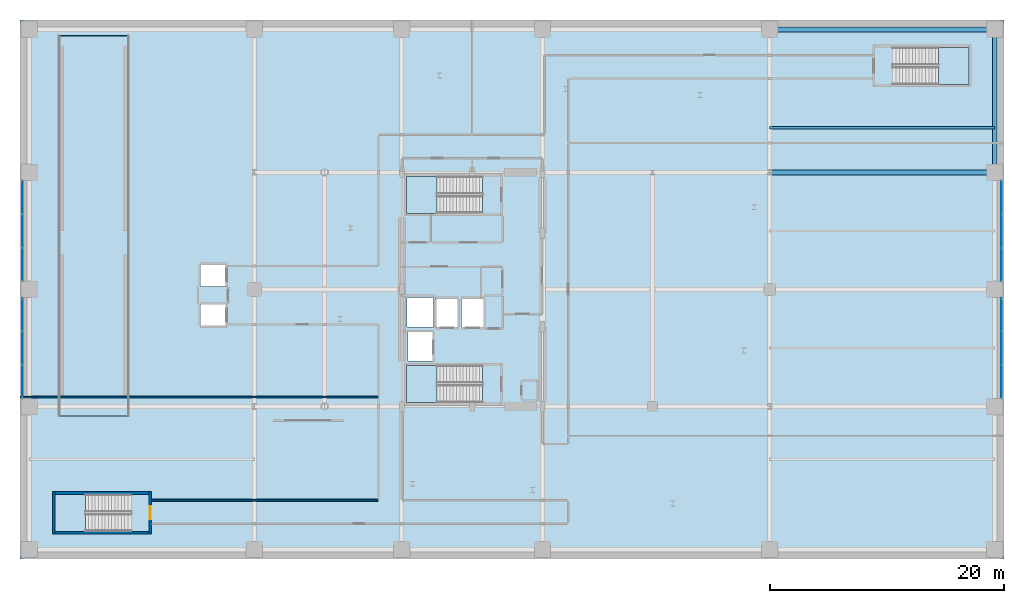
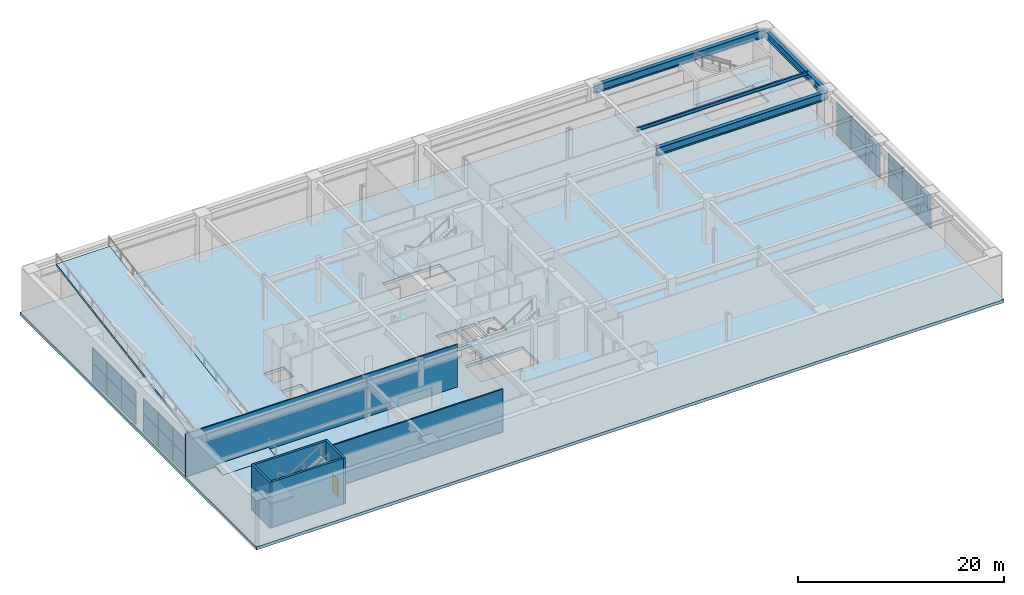
# One storey, part 14 of 25: 24 plates, 6 slabs, 6 walls, 4 beams, 1 door, 1 opening, 8 elements without a shape of their own.
"""IFC4 building model written with IfcOpenShell, lengths in metres."""

from ifc_helpers import new_model, si_unit, direction, frame, frame_2d, origin, origin_2d, place, context, subcontext, project, spatial, polyline, rectangle, i_section, outline, extrude, material, layer, layer_set, material_profile, profile_set, type_object, element, fill, aggregate, save


model = new_model("IFC4")

# Units and contexts
model_context = context("Model", 3, precision=1e-05, world=origin(), true_north=direction((0.0, 1.0)))
body_context = subcontext(model_context, "Body", "Model", "MODEL_VIEW")
ifc_project = project(units=[si_unit("LENGTHUNIT", "METRE"), si_unit("AREAUNIT", "SQUARE_METRE"), si_unit("VOLUMEUNIT", "CUBIC_METRE"), si_unit("PLANEANGLEUNIT", "RADIAN"), si_unit("MASSUNIT", "GRAM", prefix="KILO")], contexts=[model_context])

# Site, building, storey
site_placement = place(None, origin())
site = spatial("IfcSite", under=ifc_project, at=site_placement, CompositionType="ELEMENT")
building_placement = place(site_placement, origin())
building = spatial("IfcBuilding", under=site, at=building_placement, Name="Soratama Intermodal Tower", CompositionType="ELEMENT")
storey_placement = place(building_placement, frame((0.0, 0.0, -5.39990234375)))
storey = spatial("IfcBuildingStorey", under=building, at=storey_placement, Name="B1", CompositionType="ELEMENT", Elevation=-5.39990234375)

# Beams
ifc_material_1 = material(Name="Structural steel ASTM A992 Grade 50", Category="steel")
ifc_material_profile_1 = material_profile(ifc_material_1, i_section(OverallWidth=0.177978515625, OverallDepth=0.406982421875, WebThickness=0.0078125, FlangeThickness=0.0126953125, FilletRadius=0.010009765625, at=origin_2d()), Name="W16X40")
ifc_profile_set_1 = profile_set([ifc_material_profile_1], Name="Structural steel ASTM A992 Grade 50")
beam_type_1 = type_object("IfcBeamType", Name="BM-JST-W16X40", PredefinedType="JOIST", material=ifc_profile_set_1)
beam_1_placement = place(storey_placement, frame((64.0, 38.800048828125, 4.87646484375), z_axis=(1.0, 0.0, 0.0), x_axis=(0.0, 1.0, 0.0)))
element("IfcBeam", 1, at=beam_1_placement, inside=storey, type_object=beam_type_1, Name="JST-B1-E4", PredefinedType="JOIST", context=body_context, shape_type="SweptSolid", body=[
    extrude(i_section(OverallWidth=0.177978515625, OverallDepth=0.406982421875, WebThickness=0.0078125, FlangeThickness=0.0126953125, FilletRadius=0.010009765625, at=origin_2d()), origin(), (0.0, 0.0, 1.0), 19.199951171875),
])
ifc_material_2 = material(Name="Structural steel ASTM A992 Grade 50", Category="steel")
ifc_material_profile_2 = material_profile(ifc_material_2, i_section(OverallWidth=0.403076171875, OverallDepth=0.867919921875, WebThickness=0.02099609375, FlangeThickness=0.03564453125, FilletRadius=0.01806640625, at=origin_2d()), Name="W33X241")
ifc_profile_set_2 = profile_set([ifc_material_profile_2], Name="Structural steel ASTM A992 Grade 50")
beam_type_2 = type_object("IfcBeamType", Name="BM-POD-EXT-W33", PredefinedType="BEAM", material=ifc_profile_set_2)
beam_2_placement = place(storey_placement, frame((83.199951171875, 35.0, 4.64599609375), z_axis=(0.0, 1.0, 0.0), x_axis=(-1.0, 0.0, 0.0)))
element("IfcBeam", 2, at=beam_2_placement, inside=storey, type_object=beam_type_2, Name="B1 Station Girder Y4-4", PredefinedType="BEAM", context=body_context, shape_type="SweptSolid", body=[
    extrude(i_section(OverallWidth=0.403076171875, OverallDepth=0.867919921875, WebThickness=0.02099609375, FlangeThickness=0.03564453125, FilletRadius=0.01806640625, at=origin_2d()), origin(), (0.0, 0.0, 1.0), 12.199951171875),
])
ifc_material_3 = material(Name="Structural steel ASTM A992 Grade 50", Category="steel")
ifc_material_profile_3 = material_profile(ifc_material_3, i_section(OverallWidth=0.423095703125, OverallDepth=0.93896484375, WebThickness=0.02392578125, FlangeThickness=0.042724609375, FilletRadius=0.02392578125, at=origin_2d()), Name="W36X302")
ifc_profile_set_3 = profile_set([ifc_material_profile_3], Name="Structural steel ASTM A992 Grade 50")
beam_type_3 = type_object("IfcBeamType", Name="BM-POD-EXT-W36", PredefinedType="BEAM", material=ifc_profile_set_3)
beam_3_placement = place(storey_placement, frame((64.0, 47.199951171875, 4.6103515625), z_axis=(1.0, 0.0, 0.0), x_axis=(0.0, 1.0, 0.0)))
element("IfcBeam", 3, at=beam_3_placement, inside=storey, type_object=beam_type_3, Name="B1 Station Girder X5-5", PredefinedType="BEAM", context=body_context, shape_type="SweptSolid", body=[
    extrude(i_section(OverallWidth=0.423095703125, OverallDepth=0.93896484375, WebThickness=0.02392578125, FlangeThickness=0.042724609375, FilletRadius=0.02392578125, at=origin_2d()), origin(), (0.0, 0.0, 1.0), 19.199951171875),
])
ifc_material_4 = material(Name="Structural steel ASTM A992 Grade 50", Category="steel")
ifc_material_profile_4 = material_profile(ifc_material_4, i_section(OverallWidth=0.423095703125, OverallDepth=0.93896484375, WebThickness=0.02392578125, FlangeThickness=0.042724609375, FilletRadius=0.02392578125, at=origin_2d()), Name="W36X302")
ifc_profile_set_4 = profile_set([ifc_material_profile_4], Name="Structural steel ASTM A992 Grade 50")
beam_type_4 = type_object("IfcBeamType", Name="BM-POD-W36X302", PredefinedType="BEAM", material=ifc_profile_set_4)
beam_4_placement = place(storey_placement, frame((64.0, 35.0, 4.6103515625), z_axis=(1.0, 0.0, 0.0), x_axis=(0.0, 1.0, 0.0)))
element("IfcBeam", 4, at=beam_4_placement, inside=storey, type_object=beam_type_4, Name="B1 Station Girder X4-5", PredefinedType="BEAM", context=body_context, shape_type="SweptSolid", body=[
    extrude(i_section(OverallWidth=0.423095703125, OverallDepth=0.93896484375, WebThickness=0.02392578125, FlangeThickness=0.042724609375, FilletRadius=0.02392578125, at=origin_2d()), origin(), (0.0, 0.0, 1.0), 19.199951171875),
])

# Curtain wall, plates
ifc_material_5 = material(Name="Double-glazed aluminium curtain wall", Category="aluminium")
ifc_layer_1 = layer(ifc_material_5, 0.159912109375)
ifc_layer_set_1 = layer_set([ifc_layer_1], Name="Double-glazed aluminium curtain wall")
curtain_wall_type = type_object("IfcCurtainWallType", Name="CW-SYS-1", PredefinedType="NOTDEFINED", material=ifc_layer_set_1)
curtain_wall_1_placement = place(storey_placement, origin())
curtain_wall_1 = element("IfcCurtainWall", 5, at=curtain_wall_1_placement, inside=storey, type_object=curtain_wall_type, Name="B1 Station Curtain Wall E1", PredefinedType="NOTDEFINED")
ifc_material_6 = material(Name="Low-E laminated double glazing", Category="glass")
ifc_layer_2 = layer(ifc_material_6, 0.035888671875)
ifc_layer_set_2 = layer_set([ifc_layer_2], Name="Low-E laminated double glazing")
plate_type = type_object("IfcPlateType", Name="PT-CWP-1", PredefinedType="CURTAIN_PANEL", material=ifc_layer_set_2)
plate_1_placement = place(storey_placement, frame((83.800048828125, 17.1484375, 0.06005859375), z_axis=(0.0, 0.0, 1.0), x_axis=(0.0, 1.0, 0.0)))
plate_1 = element("IfcPlate", 6, at=plate_1_placement, type_object=plate_type, Name="CW-1 panel 1.1", PredefinedType="CURTAIN_PANEL", context=body_context, shape_type="SweptSolid", body=[
    extrude(rectangle(XDim=2.776611328125, YDim=0.028076171875, at=origin_2d()), origin(), (0.0, 0.0, 1.0), 2.159912109375),
])
plate_2_placement = place(storey_placement, frame((83.800048828125, 17.1484375, 2.280029296875), z_axis=(0.0, 0.0, 1.0), x_axis=(0.0, 1.0, 0.0)))
plate_2 = element("IfcPlate", 7, at=plate_2_placement, type_object=plate_type, Name="CW-1 panel 1.2", PredefinedType="CURTAIN_PANEL", context=body_context, shape_type="SweptSolid", body=[
    extrude(rectangle(XDim=2.776611328125, YDim=0.028076171875, at=origin_2d()), origin(), (0.0, 0.0, 1.0), 1.7958984375),
])
plate_3_placement = place(storey_placement, frame((83.800048828125, 20.0, 0.06005859375), z_axis=(0.0, 0.0, 1.0), x_axis=(0.0, 1.0, 0.0)))
plate_3 = element("IfcPlate", 8, at=plate_3_placement, type_object=plate_type, Name="CW-1 panel 2.1", PredefinedType="CURTAIN_PANEL", context=body_context, shape_type="SweptSolid", body=[
    extrude(rectangle(XDim=2.806640625, YDim=0.028076171875, at=origin_2d()), origin(), (0.0, 0.0, 1.0), 2.159912109375),
])
plate_4_placement = place(storey_placement, frame((83.800048828125, 20.0, 2.280029296875), z_axis=(0.0, 0.0, 1.0), x_axis=(0.0, 1.0, 0.0)))
plate_4 = element("IfcPlate", 9, at=plate_4_placement, type_object=plate_type, Name="CW-1 panel 2.2", PredefinedType="CURTAIN_PANEL", context=body_context, shape_type="SweptSolid", body=[
    extrude(rectangle(XDim=2.806640625, YDim=0.028076171875, at=origin_2d()), origin(), (0.0, 0.0, 1.0), 1.7958984375),
])
plate_5_placement = place(storey_placement, frame((83.800048828125, 22.8515625, 0.06005859375), z_axis=(0.0, 0.0, 1.0), x_axis=(0.0, 1.0, 0.0)))
plate_5 = element("IfcPlate", 10, at=plate_5_placement, type_object=plate_type, Name="CW-1 panel 3.1", PredefinedType="CURTAIN_PANEL", context=body_context, shape_type="SweptSolid", body=[
    extrude(rectangle(XDim=2.776611328125, YDim=0.028076171875, at=origin_2d()), origin(), (0.0, 0.0, 1.0), 2.159912109375),
])
plate_6_placement = place(storey_placement, frame((83.800048828125, 22.8515625, 2.280029296875), z_axis=(0.0, 0.0, 1.0), x_axis=(0.0, 1.0, 0.0)))
plate_6 = element("IfcPlate", 11, at=plate_6_placement, type_object=plate_type, Name="CW-1 panel 3.2", PredefinedType="CURTAIN_PANEL", context=body_context, shape_type="SweptSolid", body=[
    extrude(rectangle(XDim=2.776611328125, YDim=0.028076171875, at=origin_2d()), origin(), (0.0, 0.0, 1.0), 1.7958984375),
])
aggregate(curtain_wall_1, [plate_1, plate_2, plate_3, plate_4, plate_5, plate_6])

curtain_wall_2_placement = place(storey_placement, origin())
curtain_wall_2 = element("IfcCurtainWall", 12, at=curtain_wall_2_placement, inside=storey, type_object=curtain_wall_type, Name="B1 Station Curtain Wall E2", PredefinedType="NOTDEFINED")
plate_7_placement = place(storey_placement, frame((83.800048828125, 27.1484375, 0.06005859375), z_axis=(0.0, 0.0, 1.0), x_axis=(0.0, 1.0, 0.0)))
plate_7 = element("IfcPlate", 13, at=plate_7_placement, type_object=plate_type, Name="CW-1 panel 1.1", PredefinedType="CURTAIN_PANEL", context=body_context, shape_type="SweptSolid", body=[
    extrude(rectangle(XDim=2.776611328125, YDim=0.028076171875, at=origin_2d()), origin(), (0.0, 0.0, 1.0), 2.159912109375),
])
plate_8_placement = place(storey_placement, frame((83.800048828125, 27.1484375, 2.280029296875), z_axis=(0.0, 0.0, 1.0), x_axis=(0.0, 1.0, 0.0)))
plate_8 = element("IfcPlate", 14, at=plate_8_placement, type_object=plate_type, Name="CW-1 panel 1.2", PredefinedType="CURTAIN_PANEL", context=body_context, shape_type="SweptSolid", body=[
    extrude(rectangle(XDim=2.776611328125, YDim=0.028076171875, at=origin_2d()), origin(), (0.0, 0.0, 1.0), 1.7958984375),
])
plate_9_placement = place(storey_placement, frame((83.800048828125, 30.0, 0.06005859375), z_axis=(0.0, 0.0, 1.0), x_axis=(0.0, 1.0, 0.0)))
plate_9 = element("IfcPlate", 15, at=plate_9_placement, type_object=plate_type, Name="CW-1 panel 2.1", PredefinedType="CURTAIN_PANEL", context=body_context, shape_type="SweptSolid", body=[
    extrude(rectangle(XDim=2.806640625, YDim=0.028076171875, at=origin_2d()), origin(), (0.0, 0.0, 1.0), 2.159912109375),
])
plate_10_placement = place(storey_placement, frame((83.800048828125, 30.0, 2.280029296875), z_axis=(0.0, 0.0, 1.0), x_axis=(0.0, 1.0, 0.0)))
plate_10 = element("IfcPlate", 16, at=plate_10_placement, type_object=plate_type, Name="CW-1 panel 2.2", PredefinedType="CURTAIN_PANEL", context=body_context, shape_type="SweptSolid", body=[
    extrude(rectangle(XDim=2.806640625, YDim=0.028076171875, at=origin_2d()), origin(), (0.0, 0.0, 1.0), 1.7958984375),
])
plate_11_placement = place(storey_placement, frame((83.800048828125, 32.8515625, 0.06005859375), z_axis=(0.0, 0.0, 1.0), x_axis=(0.0, 1.0, 0.0)))
plate_11 = element("IfcPlate", 17, at=plate_11_placement, type_object=plate_type, Name="CW-1 panel 3.1", PredefinedType="CURTAIN_PANEL", context=body_context, shape_type="SweptSolid", body=[
    extrude(rectangle(XDim=2.776611328125, YDim=0.028076171875, at=origin_2d()), origin(), (0.0, 0.0, 1.0), 2.159912109375),
])
plate_12_placement = place(storey_placement, frame((83.800048828125, 32.8515625, 2.280029296875), z_axis=(0.0, 0.0, 1.0), x_axis=(0.0, 1.0, 0.0)))
plate_12 = element("IfcPlate", 18, at=plate_12_placement, type_object=plate_type, Name="CW-1 panel 3.2", PredefinedType="CURTAIN_PANEL", context=body_context, shape_type="SweptSolid", body=[
    extrude(rectangle(XDim=2.776611328125, YDim=0.028076171875, at=origin_2d()), origin(), (0.0, 0.0, 1.0), 1.7958984375),
])
aggregate(curtain_wall_2, [plate_7, plate_8, plate_9, plate_10, plate_11, plate_12])

curtain_wall_3_placement = place(storey_placement, origin())
curtain_wall_3 = element("IfcCurtainWall", 19, at=curtain_wall_3_placement, inside=storey, type_object=curtain_wall_type, Name="B1 Station Curtain Wall W1", PredefinedType="NOTDEFINED")
plate_13_placement = place(storey_placement, frame((0.199951171875, 17.1484375, 0.06005859375), z_axis=(0.0, 0.0, 1.0), x_axis=(0.0, 1.0, 0.0)))
plate_13 = element("IfcPlate", 20, at=plate_13_placement, type_object=plate_type, Name="CW-1 panel 1.1", PredefinedType="CURTAIN_PANEL", context=body_context, shape_type="SweptSolid", body=[
    extrude(rectangle(XDim=2.776611328125, YDim=0.028076171875, at=origin_2d()), origin(), (0.0, 0.0, 1.0), 2.159912109375),
])
plate_14_placement = place(storey_placement, frame((0.199951171875, 17.1484375, 2.280029296875), z_axis=(0.0, 0.0, 1.0), x_axis=(0.0, 1.0, 0.0)))
plate_14 = element("IfcPlate", 21, at=plate_14_placement, type_object=plate_type, Name="CW-1 panel 1.2", PredefinedType="CURTAIN_PANEL", context=body_context, shape_type="SweptSolid", body=[
    extrude(rectangle(XDim=2.776611328125, YDim=0.028076171875, at=origin_2d()), origin(), (0.0, 0.0, 1.0), 1.7958984375),
])
plate_15_placement = place(storey_placement, frame((0.199951171875, 20.0, 0.06005859375), z_axis=(0.0, 0.0, 1.0), x_axis=(0.0, 1.0, 0.0)))
plate_15 = element("IfcPlate", 22, at=plate_15_placement, type_object=plate_type, Name="CW-1 panel 2.1", PredefinedType="CURTAIN_PANEL", context=body_context, shape_type="SweptSolid", body=[
    extrude(rectangle(XDim=2.806640625, YDim=0.028076171875, at=origin_2d()), origin(), (0.0, 0.0, 1.0), 2.159912109375),
])
plate_16_placement = place(storey_placement, frame((0.199951171875, 20.0, 2.280029296875), z_axis=(0.0, 0.0, 1.0), x_axis=(0.0, 1.0, 0.0)))
plate_16 = element("IfcPlate", 23, at=plate_16_placement, type_object=plate_type, Name="CW-1 panel 2.2", PredefinedType="CURTAIN_PANEL", context=body_context, shape_type="SweptSolid", body=[
    extrude(rectangle(XDim=2.806640625, YDim=0.028076171875, at=origin_2d()), origin(), (0.0, 0.0, 1.0), 1.7958984375),
])
plate_17_placement = place(storey_placement, frame((0.199951171875, 22.8515625, 0.06005859375), z_axis=(0.0, 0.0, 1.0), x_axis=(0.0, 1.0, 0.0)))
plate_17 = element("IfcPlate", 24, at=plate_17_placement, type_object=plate_type, Name="CW-1 panel 3.1", PredefinedType="CURTAIN_PANEL", context=body_context, shape_type="SweptSolid", body=[
    extrude(rectangle(XDim=2.776611328125, YDim=0.028076171875, at=origin_2d()), origin(), (0.0, 0.0, 1.0), 2.159912109375),
])
plate_18_placement = place(storey_placement, frame((0.199951171875, 22.8515625, 2.280029296875), z_axis=(0.0, 0.0, 1.0), x_axis=(0.0, 1.0, 0.0)))
plate_18 = element("IfcPlate", 25, at=plate_18_placement, type_object=plate_type, Name="CW-1 panel 3.2", PredefinedType="CURTAIN_PANEL", context=body_context, shape_type="SweptSolid", body=[
    extrude(rectangle(XDim=2.776611328125, YDim=0.028076171875, at=origin_2d()), origin(), (0.0, 0.0, 1.0), 1.7958984375),
])
aggregate(curtain_wall_3, [plate_13, plate_14, plate_15, plate_16, plate_17, plate_18])

curtain_wall_4_placement = place(storey_placement, origin())
curtain_wall_4 = element("IfcCurtainWall", 26, at=curtain_wall_4_placement, inside=storey, type_object=curtain_wall_type, Name="B1 Station Curtain Wall W2", PredefinedType="NOTDEFINED")
plate_19_placement = place(storey_placement, frame((0.199951171875, 27.1484375, 0.06005859375), z_axis=(0.0, 0.0, 1.0), x_axis=(0.0, 1.0, 0.0)))
plate_19 = element("IfcPlate", 27, at=plate_19_placement, type_object=plate_type, Name="CW-1 panel 1.1", PredefinedType="CURTAIN_PANEL", context=body_context, shape_type="SweptSolid", body=[
    extrude(rectangle(XDim=2.776611328125, YDim=0.028076171875, at=origin_2d()), origin(), (0.0, 0.0, 1.0), 2.159912109375),
])
plate_20_placement = place(storey_placement, frame((0.199951171875, 27.1484375, 2.280029296875), z_axis=(0.0, 0.0, 1.0), x_axis=(0.0, 1.0, 0.0)))
plate_20 = element("IfcPlate", 28, at=plate_20_placement, type_object=plate_type, Name="CW-1 panel 1.2", PredefinedType="CURTAIN_PANEL", context=body_context, shape_type="SweptSolid", body=[
    extrude(rectangle(XDim=2.776611328125, YDim=0.028076171875, at=origin_2d()), origin(), (0.0, 0.0, 1.0), 1.7958984375),
])
plate_21_placement = place(storey_placement, frame((0.199951171875, 30.0, 0.06005859375), z_axis=(0.0, 0.0, 1.0), x_axis=(0.0, 1.0, 0.0)))
plate_21 = element("IfcPlate", 29, at=plate_21_placement, type_object=plate_type, Name="CW-1 panel 2.1", PredefinedType="CURTAIN_PANEL", context=body_context, shape_type="SweptSolid", body=[
    extrude(rectangle(XDim=2.806640625, YDim=0.028076171875, at=origin_2d()), origin(), (0.0, 0.0, 1.0), 2.159912109375),
])
plate_22_placement = place(storey_placement, frame((0.199951171875, 30.0, 2.280029296875), z_axis=(0.0, 0.0, 1.0), x_axis=(0.0, 1.0, 0.0)))
plate_22 = element("IfcPlate", 30, at=plate_22_placement, type_object=plate_type, Name="CW-1 panel 2.2", PredefinedType="CURTAIN_PANEL", context=body_context, shape_type="SweptSolid", body=[
    extrude(rectangle(XDim=2.806640625, YDim=0.028076171875, at=origin_2d()), origin(), (0.0, 0.0, 1.0), 1.7958984375),
])
plate_23_placement = place(storey_placement, frame((0.199951171875, 32.8515625, 0.06005859375), z_axis=(0.0, 0.0, 1.0), x_axis=(0.0, 1.0, 0.0)))
plate_23 = element("IfcPlate", 31, at=plate_23_placement, type_object=plate_type, Name="CW-1 panel 3.1", PredefinedType="CURTAIN_PANEL", context=body_context, shape_type="SweptSolid", body=[
    extrude(rectangle(XDim=2.776611328125, YDim=0.028076171875, at=origin_2d()), origin(), (0.0, 0.0, 1.0), 2.159912109375),
])
plate_24_placement = place(storey_placement, frame((0.199951171875, 32.8515625, 2.280029296875), z_axis=(0.0, 0.0, 1.0), x_axis=(0.0, 1.0, 0.0)))
plate_24 = element("IfcPlate", 32, at=plate_24_placement, type_object=plate_type, Name="CW-1 panel 3.2", PredefinedType="CURTAIN_PANEL", context=body_context, shape_type="SweptSolid", body=[
    extrude(rectangle(XDim=2.776611328125, YDim=0.028076171875, at=origin_2d()), origin(), (0.0, 0.0, 1.0), 1.7958984375),
])
aggregate(curtain_wall_4, [plate_19, plate_20, plate_21, plate_22, plate_23, plate_24])

# Slabs
ifc_material_7 = material(Name="Concrete f'c 42 MPa", Category="concrete")
ifc_layer_3 = layer(ifc_material_7, 0.360107421875)
ifc_layer_set_3 = layer_set([ifc_layer_3], Name="Concrete f'c 42 MPa")
slab_type_1 = type_object("IfcSlabType", Name="SL-B1-360", PredefinedType="FLOOR", material=ifc_layer_set_3)
slab_1_placement = place(storey_placement, frame((0.0, 0.0, -0.360107421875)))
element("IfcSlab", 33, at=slab_1_placement, inside=storey, type_object=slab_type_1, Name="B1 Structural Floor Slab", PredefinedType="FLOOR", context=body_context, shape_type="SweptSolid", body=[
    extrude(outline(polyline([(0.0, 2.0), (84.0, 2.0), (84.0, 48.0), (0.0, 48.0), (0.0, 2.0)]), holes=[polyline([(3.0, 7.5), (3.0, 4.35009765625), (9.47509765625, 4.35009765625), (9.47509765625, 7.5), (3.0, 7.5)]), polyline([(33.0, 18.5), (33.0, 15.35009765625), (39.47509765625, 15.35009765625), (39.47509765625, 18.5), (33.0, 18.5)]), polyline([(35.260009765625, 21.409912109375), (33.139892578125, 21.409912109375), (33.139892578125, 18.889892578125), (35.260009765625, 18.889892578125), (35.260009765625, 21.409912109375)]), polyline([(17.610107421875, 21.840087890625), (17.610107421875, 23.760009765625), (15.389892578125, 23.760009765625), (15.389892578125, 21.840087890625), (17.610107421875, 21.840087890625)]), polyline([(37.409912109375, 21.739990234375), (37.409912109375, 24.260009765625), (35.489990234375, 24.260009765625), (35.489990234375, 21.739990234375), (37.409912109375, 21.739990234375)]), polyline([(39.610107421875, 24.260009765625), (37.68994140625, 24.260009765625), (37.68994140625, 21.739990234375), (39.610107421875, 21.739990234375), (39.610107421875, 24.260009765625)]), polyline([(35.280029296875, 21.800048828125), (35.280029296875, 24.320068359375), (33.050048828125, 24.320068359375), (33.050048828125, 21.800048828125), (35.280029296875, 21.800048828125)]), polyline([(17.610107421875, 27.159912109375), (15.389892578125, 27.159912109375), (15.389892578125, 25.239990234375), (17.610107421875, 25.239990234375), (17.610107421875, 27.159912109375)]), polyline([(39.47509765625, 34.64990234375), (33.0, 34.64990234375), (33.0, 31.5), (39.47509765625, 31.5), (39.47509765625, 34.64990234375)]), polyline([(74.52490234375, 42.5), (81.0, 42.5), (81.0, 45.64990234375), (74.52490234375, 45.64990234375), (74.52490234375, 42.5)])]), origin(), (0.0, 0.0, 1.0), 0.360107421875),
])
ifc_material_8 = material(Name="Concrete f'c 42 MPa", Category="concrete")
ifc_layer_4 = layer(ifc_material_8, 0.25)
ifc_layer_set_4 = layer_set([ifc_layer_4], Name="Concrete f'c 42 MPa")
slab_type_2 = type_object("IfcSlabType", Name="SL-RAMP-250", PredefinedType="USERDEFINED", material=ifc_layer_set_4)
slab_2_placement = place(storey_placement, frame((3.300048828125, 14.199951171875, 0.0), z_axis=(0.0, -0.164149858657, 0.98643541294), x_axis=(1.0, 0.0, 0.0)))
element("IfcSlab", 34, at=slab_2_placement, inside=storey, type_object=slab_type_2, Name="B1 to L00 Two-Way Servicing Vehicle Ramp Slab", ObjectType="RAMP", PredefinedType="USERDEFINED", context=body_context, shape_type="SweptSolid", body=[
    extrude(outline(polyline([(0.0, 0.0), (6.0, 0.0), (6.0, 32.89617419061233), (0.0, 32.89617419061233), (0.0, 0.0)])), origin(), (0.0, 0.0, -1.0), 0.25),
])

# Stair, slab
ifc_material_9 = material(Name="Concrete f'c 42 MPa", Category="concrete")
stair_type = type_object("IfcStairType", Name="ST-CORE-DOGLEG", PredefinedType="HALF_TURN_STAIR", material=ifc_material_9)
stair_1_placement = place(storey_placement, origin())
stair_1 = element("IfcStair", 35, at=stair_1_placement, inside=storey, type_object=stair_type, Name="B1 ST-1", PredefinedType="HALF_TURN_STAIR")
ifc_material_10 = material(Name="Concrete f'c 42 MPa", Category="concrete")
ifc_layer_5 = layer(ifc_material_10, 0.219970703125)
ifc_layer_set_5 = layer_set([ifc_layer_5], Name="Concrete f'c 42 MPa")
slab_type_3 = type_object("IfcSlabType", Name="SL-STAIR-LAND", PredefinedType="LANDING", material=ifc_layer_set_5)
slab_3_placement = place(storey_placement, frame((0.0, 0.0, 2.5)))
slab_3 = element("IfcSlab", 36, at=slab_3_placement, type_object=slab_type_3, Name="ST-1 landing 1", PredefinedType="LANDING", context=body_context, shape_type="SweptSolid", body=[
    extrude(outline(polyline([(35.580078125, 18.5), (33.0, 18.5), (33.0, 15.35009765625), (35.580078125, 15.35009765625), (35.580078125, 18.5)])), origin(), (0.0, 0.0, 1.0), 0.199951171875),
])
aggregate(stair_1, [slab_3])

stair_2_placement = place(storey_placement, origin())
stair_2 = element("IfcStair", 37, at=stair_2_placement, inside=storey, type_object=stair_type, Name="B1 ST-2", PredefinedType="HALF_TURN_STAIR")
slab_4_placement = place(storey_placement, frame((0.0, 0.0, 2.5)))
slab_4 = element("IfcSlab", 38, at=slab_4_placement, type_object=slab_type_3, Name="ST-2 landing 1", PredefinedType="LANDING", context=body_context, shape_type="SweptSolid", body=[
    extrude(outline(polyline([(35.580078125, 34.64990234375), (33.0, 34.64990234375), (33.0, 31.5), (35.580078125, 31.5), (35.580078125, 34.64990234375)])), origin(), (0.0, 0.0, 1.0), 0.199951171875),
])
aggregate(stair_2, [slab_4])

stair_3_placement = place(storey_placement, origin())
stair_3 = element("IfcStair", 39, at=stair_3_placement, inside=storey, type_object=stair_type, Name="B1 ST-3", PredefinedType="HALF_TURN_STAIR")
slab_5_placement = place(storey_placement, frame((0.0, 0.0, 2.5)))
slab_5 = element("IfcSlab", 40, at=slab_5_placement, type_object=slab_type_3, Name="ST-3 landing 1", PredefinedType="LANDING", context=body_context, shape_type="SweptSolid", body=[
    extrude(outline(polyline([(5.580078125, 7.5), (3.0, 7.5), (3.0, 4.35009765625), (5.580078125, 4.35009765625), (5.580078125, 7.5)])), origin(), (0.0, 0.0, 1.0), 0.199951171875),
])
aggregate(stair_3, [slab_5])

stair_4_placement = place(storey_placement, origin())
stair_4 = element("IfcStair", 41, at=stair_4_placement, inside=storey, type_object=stair_type, Name="B1 ST-4", PredefinedType="HALF_TURN_STAIR")
slab_6_placement = place(storey_placement, frame((0.0, 0.0, 2.5)))
slab_6 = element("IfcSlab", 42, at=slab_6_placement, type_object=slab_type_3, Name="ST-4 landing 1", PredefinedType="LANDING", context=body_context, shape_type="SweptSolid", body=[
    extrude(outline(polyline([(78.419921875, 42.5), (81.0, 42.5), (81.0, 45.64990234375), (78.419921875, 45.64990234375), (78.419921875, 42.5)])), origin(), (0.0, 0.0, 1.0), 0.199951171875),
])
aggregate(stair_4, [slab_6])

# Walls
ifc_material_11 = material(Name="Fire-rated gypsum stud partition", Category="concrete")
ifc_layer_6 = layer(ifc_material_11, 0.14990234375)
ifc_layer_set_6 = layer_set([ifc_layer_6], Name="Fire-rated gypsum stud partition")
wall_type_1 = type_object("IfcWallType", Name="IW-PART-R150", PredefinedType="PARTITIONING", material=ifc_layer_set_6)
wall_1_placement = place(storey_placement, frame((11.1201171875, 7.0, 0.0), z_axis=(0.0, 0.0, 1.0), x_axis=(1.0, 0.0, 0.0)))
element("IfcWall", 43, at=wall_1_placement, inside=storey, type_object=wall_type_1, Name="B1 Partition W-B1-TP008", PredefinedType="PARTITIONING", context=body_context, shape_type="SweptSolid", body=[
    extrude(rectangle(XDim=19.409912109375, YDim=0.14990234375, at=frame_2d((9.705078125, 0.0))), origin(), (0.0, 0.0, 1.0), 5.079833984375),
])
ifc_material_12 = material(Name="Fire-rated gypsum stud partition", Category="concrete")
ifc_layer_7 = layer(ifc_material_12, 0.1201171875)
ifc_layer_set_7 = layer_set([ifc_layer_7], Name="Fire-rated gypsum stud partition")
wall_type_2 = type_object("IfcWallType", Name="IW-PART-S120", PredefinedType="PARTITIONING", material=ifc_layer_set_7)
wall_2_placement = place(storey_placement, frame((0.0, 15.800048828125, 0.0), z_axis=(0.0, 0.0, 1.0), x_axis=(1.0, 0.0, 0.0)))
element("IfcWall", 44, at=wall_2_placement, inside=storey, type_object=wall_type_2, Name="B1 Partition W-B1-TP004", PredefinedType="PARTITIONING", context=body_context, shape_type="SweptSolid", body=[
    extrude(rectangle(XDim=30.530029296875, YDim=0.1201171875, at=frame_2d((15.26513671875, 0.0))), origin(), (0.0, 0.0, 1.0), 5.079833984375),
])
ifc_material_13 = material(Name="Concrete f'c 56 MPa", Category="concrete")
ifc_layer_8 = layer(ifc_material_13, 0.239990234375)
ifc_layer_set_8 = layer_set([ifc_layer_8], Name="Concrete f'c 56 MPa")
wall_type_3 = type_object("IfcWallType", Name="SW-STAIR-240", PredefinedType="SHEAR", material=ifc_layer_set_8)
wall_3_placement = place(storey_placement, frame((2.8798828125, 4.110107421875, 0.0), z_axis=(0.0, 0.0, 1.0), x_axis=(0.0, 1.0, 0.0)))
element("IfcWall", 45, at=wall_3_placement, inside=storey, type_object=wall_type_3, Name="B1 ST-3 Shaft Shear Wall W", PredefinedType="SHEAR", context=body_context, shape_type="SweptSolid", body=[
    extrude(rectangle(XDim=3.6298828125, YDim=0.239990234375, at=frame_2d((1.81494140625, 0.0))), origin(), (0.0, 0.0, 1.0), 5.39990234375),
])

# Wall, opening, door
wall_4_placement = place(storey_placement, frame((11.1201171875, 4.110107421875, 0.0), z_axis=(0.0, 0.0, 1.0), x_axis=(0.0, 1.0, 0.0)))
wall_4 = element("IfcWall", 46, at=wall_4_placement, inside=storey, type_object=wall_type_3, Name="B1 ST-3 Shaft Shear Wall E", PredefinedType="SHEAR", context=body_context, shape_type="SweptSolid", body=[
    extrude(rectangle(XDim=3.6298828125, YDim=0.239990234375, at=frame_2d((1.81494140625, 0.0))), origin(), (0.0, 0.0, 1.0), 5.39990234375),
])
opening_placement = place(wall_4_placement, frame((1.2548828125, 0.0, 0.0)))
opening = element("IfcOpeningElement", 47, at=opening_placement, cuts=wall_4, Name="Opening SD-1", PredefinedType="OPENING", context=body_context, shape_type="SweptSolid", body=[
    extrude(rectangle(XDim=1.1201171875, YDim=2.14990234375, at=frame_2d((0.56005859375, 1.074951171875))), frame((0.0, 0.1298828125, 0.0), z_axis=(0.0, -1.0, 0.0), x_axis=(1.0, 0.0, 0.0)), (0.0, 0.0, 1.0), 0.260009765625),
])
ifc_material_14 = material(Name="Steel fire door", Category="steel")
door_type = type_object("IfcDoorType", Name="DR-STAIR-FD90", OperationType="NOTDEFINED", PredefinedType="DOOR", material=ifc_material_14)
door_placement = place(opening_placement, origin())
door = element("IfcDoor", 48, at=door_placement, inside=storey, type_object=door_type, Name="B1 ST-3 Exit Stair Door", OperationType="SINGLE_SWING_LEFT", OverallHeight=2.14990234375, OverallWidth=1.1201171875, PredefinedType="DOOR", context=body_context, shape_type="SweptSolid", body=[
    extrude(rectangle(XDim=1.1201171875, YDim=2.14990234375, at=frame_2d((0.56005859375, 1.074951171875))), frame((0.0, 0.02490234375, 0.0), z_axis=(0.0, -1.0, 0.0), x_axis=(1.0, 0.0, 0.0)), (0.0, 0.0, 1.0), 0.050048828125),
])
fill(opening, door)

# Walls
for number, where, z_axis, x_axis, name in (
    (49, (3.0, 4.22998046875, 0.0), (0.0, 0.0, 1.0), (1.0, 0.0, 0.0), "B1 ST-3 Shaft Shear Wall S"),
    (50, (3.0, 7.6201171875, 0.0), (0.0, 0.0, 1.0), (1.0, 0.0, 0.0), "B1 ST-3 Shaft Shear Wall N"),
):
    element("IfcWall", number, at=place(storey_placement, frame(where, z_axis=z_axis, x_axis=x_axis)), inside=storey, type_object=wall_type_3, Name=name, PredefinedType="SHEAR", context=body_context, shape_type="SweptSolid", body=[
        extrude(rectangle(XDim=8.0, YDim=0.239990234375, at=frame_2d((4.0, 0.0))), origin(), (0.0, 0.0, 1.0), 5.39990234375),
    ])

save(model, "model.ifc")
